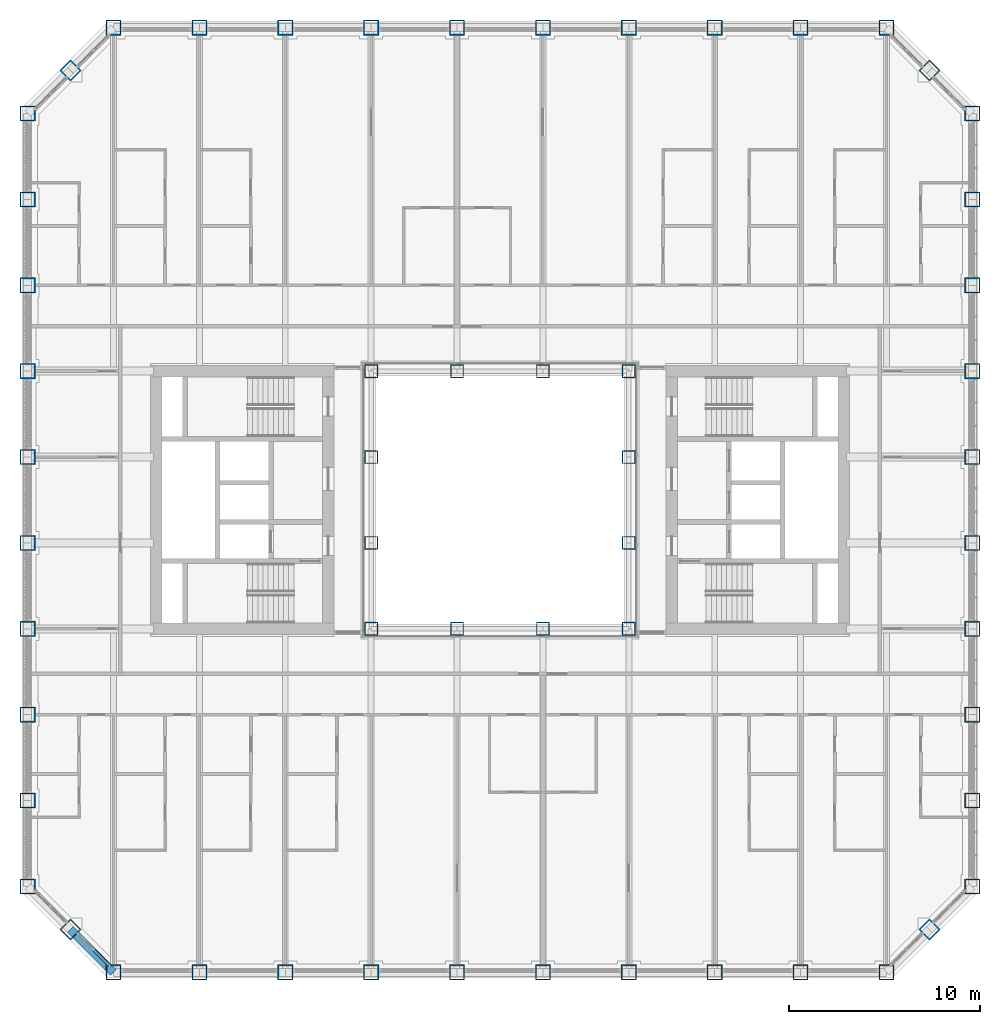
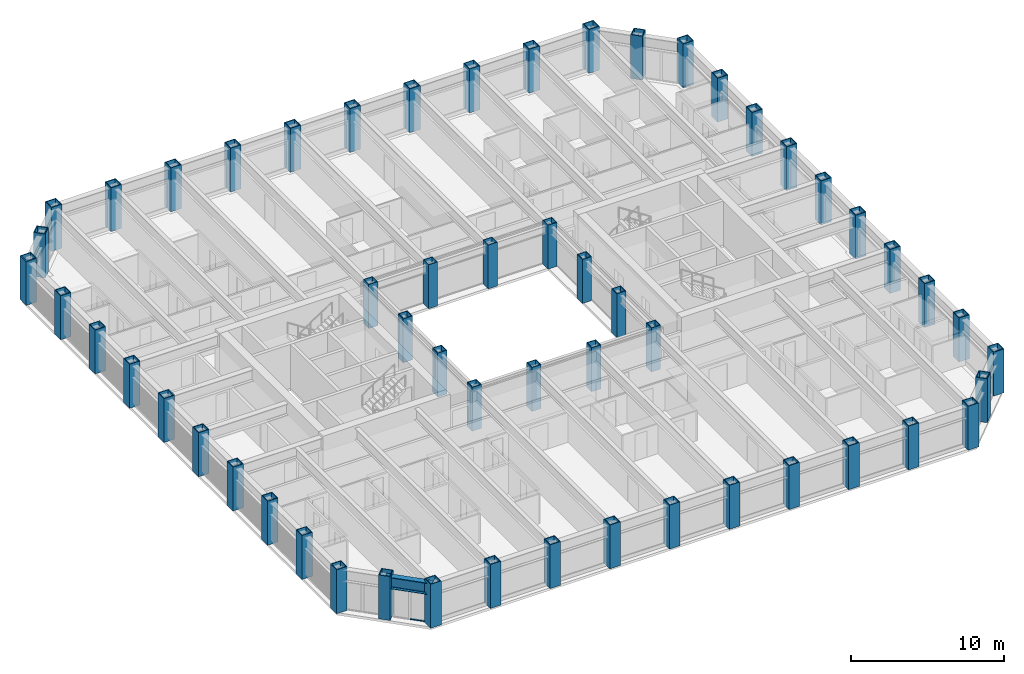
# One storey, part 1 of 21: 56 columns, 2 members, 1 beam, 1 element without a shape of its own.
"""IFC4 building model written with IfcOpenShell, lengths in metres."""

from ifc_helpers import new_model, si_unit, direction, frame, origin, origin_2d, place, context, subcontext, project, spatial, rectangle, hollow_rectangle, i_section, extrude, material, material_profile, profile_set, type_object, element, aggregate, save


model = new_model("IFC4")

# Units and contexts
model_context = context("Model", 3, precision=1e-05, world=origin(), true_north=direction((0.0, 1.0)))
body_context = subcontext(model_context, "Body", "Model", "MODEL_VIEW")
ifc_project = project(units=[si_unit("LENGTHUNIT", "METRE"), si_unit("AREAUNIT", "SQUARE_METRE"), si_unit("VOLUMEUNIT", "CUBIC_METRE"), si_unit("PLANEANGLEUNIT", "RADIAN"), si_unit("MASSUNIT", "GRAM", prefix="KILO")], contexts=[model_context])

# Site, building, storey
site_placement = place(None, origin())
site = spatial("IfcSite", under=ifc_project, at=site_placement, CompositionType="ELEMENT")
building_placement = place(site_placement, origin())
building = spatial("IfcBuilding", under=site, at=building_placement, Name="Msasa Ring Tower", CompositionType="ELEMENT")
storey_placement = place(building_placement, frame((0.0, 0.0, 86.0)))
storey = spatial("IfcBuildingStorey", under=building, at=storey_placement, Name="L22", CompositionType="ELEMENT", Elevation=86.0)

# Columns
ifc_material_1 = material(Name="Steel S355", Category="steel")
ifc_material_profile_1 = material_profile(ifc_material_1, hollow_rectangle(XDim=0.699951171875, YDim=0.699951171875, WallThickness=0.050048828125, at=origin_2d()), Name="BOX 700x700x50")
ifc_profile_set_1 = profile_set([ifc_material_profile_1], Name="Steel S355")
column_type_1 = type_object("IfcColumnType", Name="IC3 BOX 700x700x50", PredefinedType="COLUMN", material=ifc_profile_set_1)
for number, where, z_axis, x_axis, name in (
    (1, (-6.75, -6.75, 0.0), (0.0, 0.0, 1.0), (1.0, 0.0, 0.0), "Inner ring column IR-6.75-6.75 L22"),
    (2, (-6.75, -2.25, 0.0), (0.0, 0.0, 1.0), (1.0, 0.0, 0.0), "Inner ring column IR-6.75-2.25 L22"),
    (3, (-6.75, 2.25, 0.0), (0.0, 0.0, 1.0), (1.0, 0.0, 0.0), "Inner ring column IR-6.75+2.25 L22"),
    (4, (-6.75, 6.75, 0.0), (0.0, 0.0, 1.0), (1.0, 0.0, 0.0), "Inner ring column IR-6.75+6.75 L22"),
    (5, (-2.25, -6.75, 0.0), (0.0, 0.0, 1.0), (1.0, 0.0, 0.0), "Inner ring column IR-2.25-6.75 L22"),
    (6, (-2.25, 6.75, 0.0), (0.0, 0.0, 1.0), (1.0, 0.0, 0.0), "Inner ring column IR-2.25+6.75 L22"),
    (7, (2.25, -6.75, 0.0), (0.0, 0.0, 1.0), (1.0, 0.0, 0.0), "Inner ring column IR+2.25-6.75 L22"),
    (8, (2.25, 6.75, 0.0), (0.0, 0.0, 1.0), (1.0, 0.0, 0.0), "Inner ring column IR+2.25+6.75 L22"),
    (9, (6.75, -6.75, 0.0), (0.0, 0.0, 1.0), (1.0, 0.0, 0.0), "Inner ring column IR+6.75-6.75 L22"),
    (10, (6.75, -2.25, 0.0), (0.0, 0.0, 1.0), (1.0, 0.0, 0.0), "Inner ring column IR+6.75-2.25 L22"),
    (11, (6.75, 2.25, 0.0), (0.0, 0.0, 1.0), (1.0, 0.0, 0.0), "Inner ring column IR+6.75+2.25 L22"),
    (12, (6.75, 6.75, 0.0), (0.0, 0.0, 1.0), (1.0, 0.0, 0.0), "Inner ring column IR+6.75+6.75 L22"),
):
    element("IfcColumn", number, at=place(storey_placement, frame(where, z_axis=z_axis, x_axis=x_axis)), inside=storey, type_object=column_type_1, Name=name, PredefinedType="COLUMN", context=body_context, shape_type="SweptSolid", body=[
        extrude(hollow_rectangle(XDim=0.699951171875, YDim=0.699951171875, WallThickness=0.050048828125, at=origin_2d()), origin(), (0.0, 0.0, 1.0), 3.5),
    ])
ifc_material_2 = material(Name="Steel S355", Category="steel")
ifc_material_profile_2 = material_profile(ifc_material_2, hollow_rectangle(XDim=0.800048828125, YDim=0.800048828125, WallThickness=0.06005859375, at=origin_2d()), Name="BOX 800x800x60")
ifc_profile_set_2 = profile_set([ifc_material_profile_2], Name="Steel S355")
column_type_2 = type_object("IfcColumnType", Name="TC3 BOX 800x800x60", PredefinedType="COLUMN", material=ifc_profile_set_2)
for number, where, z_axis, x_axis, name in (
    (13, (-20.25, -24.75, 0.0), (0.0, 0.0, 1.0), (0.0, 1.0, 0.0), "Tube column S-20.25 L22"),
    (14, (-20.25, 24.75, 0.0), (0.0, 0.0, 1.0), (0.0, 1.0, 0.0), "Tube column N-20.25 L22"),
    (15, (24.75, -20.25, 0.0), (0.0, 0.0, 1.0), (1.0, 0.0, 0.0), "Tube column E-20.25 L22"),
    (16, (-24.75, -20.25, 0.0), (0.0, 0.0, 1.0), (1.0, 0.0, 0.0), "Tube column W-20.25 L22"),
    (17, (-15.75, -24.75, 0.0), (0.0, 0.0, 1.0), (0.0, 1.0, 0.0), "Tube column S-15.75 L22"),
    (18, (-15.75, 24.75, 0.0), (0.0, 0.0, 1.0), (0.0, 1.0, 0.0), "Tube column N-15.75 L22"),
    (19, (24.75, -15.75, 0.0), (0.0, 0.0, 1.0), (1.0, 0.0, 0.0), "Tube column E-15.75 L22"),
    (20, (-24.75, -15.75, 0.0), (0.0, 0.0, 1.0), (1.0, 0.0, 0.0), "Tube column W-15.75 L22"),
    (21, (-11.25, -24.75, 0.0), (0.0, 0.0, 1.0), (0.0, 1.0, 0.0), "Tube column S-11.25 L22"),
    (22, (-11.25, 24.75, 0.0), (0.0, 0.0, 1.0), (0.0, 1.0, 0.0), "Tube column N-11.25 L22"),
    (23, (24.75, -11.25, 0.0), (0.0, 0.0, 1.0), (1.0, 0.0, 0.0), "Tube column E-11.25 L22"),
    (24, (-24.75, -11.25, 0.0), (0.0, 0.0, 1.0), (1.0, 0.0, 0.0), "Tube column W-11.25 L22"),
    (25, (-6.75, -24.75, 0.0), (0.0, 0.0, 1.0), (0.0, 1.0, 0.0), "Tube column S-6.75 L22"),
    (26, (-6.75, 24.75, 0.0), (0.0, 0.0, 1.0), (0.0, 1.0, 0.0), "Tube column N-6.75 L22"),
    (27, (24.75, -6.75, 0.0), (0.0, 0.0, 1.0), (1.0, 0.0, 0.0), "Tube column E-6.75 L22"),
    (28, (-24.75, -6.75, 0.0), (0.0, 0.0, 1.0), (1.0, 0.0, 0.0), "Tube column W-6.75 L22"),
    (29, (-2.25, -24.75, 0.0), (0.0, 0.0, 1.0), (0.0, 1.0, 0.0), "Tube column S-2.25 L22"),
    (30, (-2.25, 24.75, 0.0), (0.0, 0.0, 1.0), (0.0, 1.0, 0.0), "Tube column N-2.25 L22"),
    (31, (24.75, -2.25, 0.0), (0.0, 0.0, 1.0), (1.0, 0.0, 0.0), "Tube column E-2.25 L22"),
    (32, (-24.75, -2.25, 0.0), (0.0, 0.0, 1.0), (1.0, 0.0, 0.0), "Tube column W-2.25 L22"),
    (33, (2.25, -24.75, 0.0), (0.0, 0.0, 1.0), (0.0, 1.0, 0.0), "Tube column S+2.25 L22"),
    (34, (2.25, 24.75, 0.0), (0.0, 0.0, 1.0), (0.0, 1.0, 0.0), "Tube column N+2.25 L22"),
    (35, (24.75, 2.25, 0.0), (0.0, 0.0, 1.0), (1.0, 0.0, 0.0), "Tube column E+2.25 L22"),
    (36, (-24.75, 2.25, 0.0), (0.0, 0.0, 1.0), (1.0, 0.0, 0.0), "Tube column W+2.25 L22"),
    (37, (6.75, -24.75, 0.0), (0.0, 0.0, 1.0), (0.0, 1.0, 0.0), "Tube column S+6.75 L22"),
    (38, (6.75, 24.75, 0.0), (0.0, 0.0, 1.0), (0.0, 1.0, 0.0), "Tube column N+6.75 L22"),
    (39, (24.75, 6.75, 0.0), (0.0, 0.0, 1.0), (1.0, 0.0, 0.0), "Tube column E+6.75 L22"),
    (40, (-24.75, 6.75, 0.0), (0.0, 0.0, 1.0), (1.0, 0.0, 0.0), "Tube column W+6.75 L22"),
    (41, (11.25, -24.75, 0.0), (0.0, 0.0, 1.0), (0.0, 1.0, 0.0), "Tube column S+11.25 L22"),
    (42, (11.25, 24.75, 0.0), (0.0, 0.0, 1.0), (0.0, 1.0, 0.0), "Tube column N+11.25 L22"),
    (43, (24.75, 11.25, 0.0), (0.0, 0.0, 1.0), (1.0, 0.0, 0.0), "Tube column E+11.25 L22"),
    (44, (-24.75, 11.25, 0.0), (0.0, 0.0, 1.0), (1.0, 0.0, 0.0), "Tube column W+11.25 L22"),
    (45, (15.75, -24.75, 0.0), (0.0, 0.0, 1.0), (0.0, 1.0, 0.0), "Tube column S+15.75 L22"),
    (46, (15.75, 24.75, 0.0), (0.0, 0.0, 1.0), (0.0, 1.0, 0.0), "Tube column N+15.75 L22"),
    (47, (24.75, 15.75, 0.0), (0.0, 0.0, 1.0), (1.0, 0.0, 0.0), "Tube column E+15.75 L22"),
    (48, (-24.75, 15.75, 0.0), (0.0, 0.0, 1.0), (1.0, 0.0, 0.0), "Tube column W+15.75 L22"),
    (49, (20.25, -24.75, 0.0), (0.0, 0.0, 1.0), (0.0, 1.0, 0.0), "Tube column S+20.25 L22"),
    (50, (20.25, 24.75, 0.0), (0.0, 0.0, 1.0), (0.0, 1.0, 0.0), "Tube column N+20.25 L22"),
    (51, (24.75, 20.25, 0.0), (0.0, 0.0, 1.0), (1.0, 0.0, 0.0), "Tube column E+20.25 L22"),
    (52, (-24.75, 20.25, 0.0), (0.0, 0.0, 1.0), (1.0, 0.0, 0.0), "Tube column W+20.25 L22"),
    (53, (22.5, -22.5, 0.0), (0.0, 0.0, 1.0), (0.707106781187, -0.707106781187, 0.0), "Tube column SE L22"),
    (54, (22.5, 22.5, 0.0), (0.0, 0.0, 1.0), (0.707106781187, 0.707106781187, 0.0), "Tube column NE L22"),
    (55, (-22.5, 22.5, 0.0), (0.0, 0.0, 1.0), (0.707106781187, -0.707106781187, 0.0), "Tube column NW L22"),
    (56, (-22.5, -22.5, 0.0), (0.0, 0.0, 1.0), (0.707106781187, 0.707106781187, 0.0), "Tube column SW L22"),
):
    element("IfcColumn", number, at=place(storey_placement, frame(where, z_axis=z_axis, x_axis=x_axis)), inside=storey, type_object=column_type_2, Name=name, PredefinedType="COLUMN", context=body_context, shape_type="SweptSolid", body=[
        extrude(hollow_rectangle(XDim=0.800048828125, YDim=0.800048828125, WallThickness=0.06005859375, at=origin_2d()), origin(), (0.0, 0.0, 1.0), 3.5),
    ])

# Curtain wall, members
ifc_material_3 = material(Name="Aluminium curtain wall with clear glass", Category="aluminium")
curtain_wall_type = type_object("IfcCurtainWallType", Name="CW-C CHAMFER CORNER CURTAIN WALL", PredefinedType="NOTDEFINED", material=ifc_material_3)
curtain_wall_placement = place(storey_placement, origin())
curtain_wall = element("IfcCurtainWall", 57, at=curtain_wall_placement, inside=storey, type_object=curtain_wall_type, Name="Chamfer corner curtain wall SW L22", PredefinedType="NOTDEFINED")
ifc_material_4 = material(Name="Aluminium transom", Category="aluminium")
ifc_material_profile_3 = material_profile(ifc_material_4, rectangle(XDim=0.139892578125, YDim=0.06494140625, at=origin_2d()), Name="AL 65x140")
ifc_profile_set_3 = profile_set([ifc_material_profile_3], Name="Aluminium transom")
member_type = type_object("IfcMemberType", Name="CW-C TRANSOM 65x140", PredefinedType="USERDEFINED", material=ifc_profile_set_3)
member_1_placement = place(storey_placement, frame((-21.28125, -23.577392578125, 0.032470703125), z_axis=(0.707106781187, -0.707106781187, 0.0), x_axis=(0.707106781187, 0.707106781187, 0.0)))
member_1 = element("IfcMember", 58, at=member_1_placement, type_object=member_type, Name="CW-C transom 2.1", ObjectType="TRANSOM", PredefinedType="USERDEFINED", context=body_context, shape_type="SweptSolid", body=[
    extrude(rectangle(XDim=0.139892578125, YDim=0.06494140625, at=origin_2d()), origin(), (0.0, 0.0, 1.0), 1.08837890625),
])
member_2_placement = place(storey_placement, frame((-21.28125, -23.577392578125, 2.346435546875), z_axis=(0.707106781187, -0.707106781187, 0.0), x_axis=(0.707106781187, 0.707106781187, 0.0)))
member_2 = element("IfcMember", 59, at=member_2_placement, type_object=member_type, Name="CW-C transom 2.2", ObjectType="TRANSOM", PredefinedType="USERDEFINED", context=body_context, shape_type="SweptSolid", body=[
    extrude(rectangle(XDim=0.139892578125, YDim=0.06494140625, at=origin_2d()), origin(), (0.0, 0.0, 1.0), 1.08837890625),
])
aggregate(curtain_wall, [member_1, member_2])

# Beam
ifc_material_5 = material(Name="Steel S355", Category="steel")
ifc_material_profile_4 = material_profile(ifc_material_5, i_section(OverallWidth=0.42041015625, OverallDepth=0.9208984375, WebThickness=0.021484375, FlangeThickness=0.03662109375, FilletRadius=0.024169921875, at=origin_2d()), Name="UB 914x419x388")
ifc_profile_set_4 = profile_set([ifc_material_profile_4], Name="Steel S355")
beam_type = type_object("IfcBeamType", Name="SB1 UB 914x419x388", PredefinedType="SPANDREL", material=ifc_profile_set_4)
beam_placement = place(storey_placement, frame((-22.5, -22.5, 2.839599609375), z_axis=(0.707106781187, -0.707106781187, 0.0), x_axis=(0.707106781187, 0.707106781187, 0.0)))
element("IfcBeam", 60, at=beam_placement, inside=storey, type_object=beam_type, Name="Spandrel SW to S-20.25 under L23", PredefinedType="SPANDREL", context=body_context, shape_type="SweptSolid", body=[
    extrude(i_section(OverallWidth=0.42041015625, OverallDepth=0.9208984375, WebThickness=0.021484375, FlangeThickness=0.03662109375, FilletRadius=0.024169921875, at=origin_2d()), origin(), (0.0, 0.0, 1.0), 3.181884765625),
])

save(model, "model.ifc")
